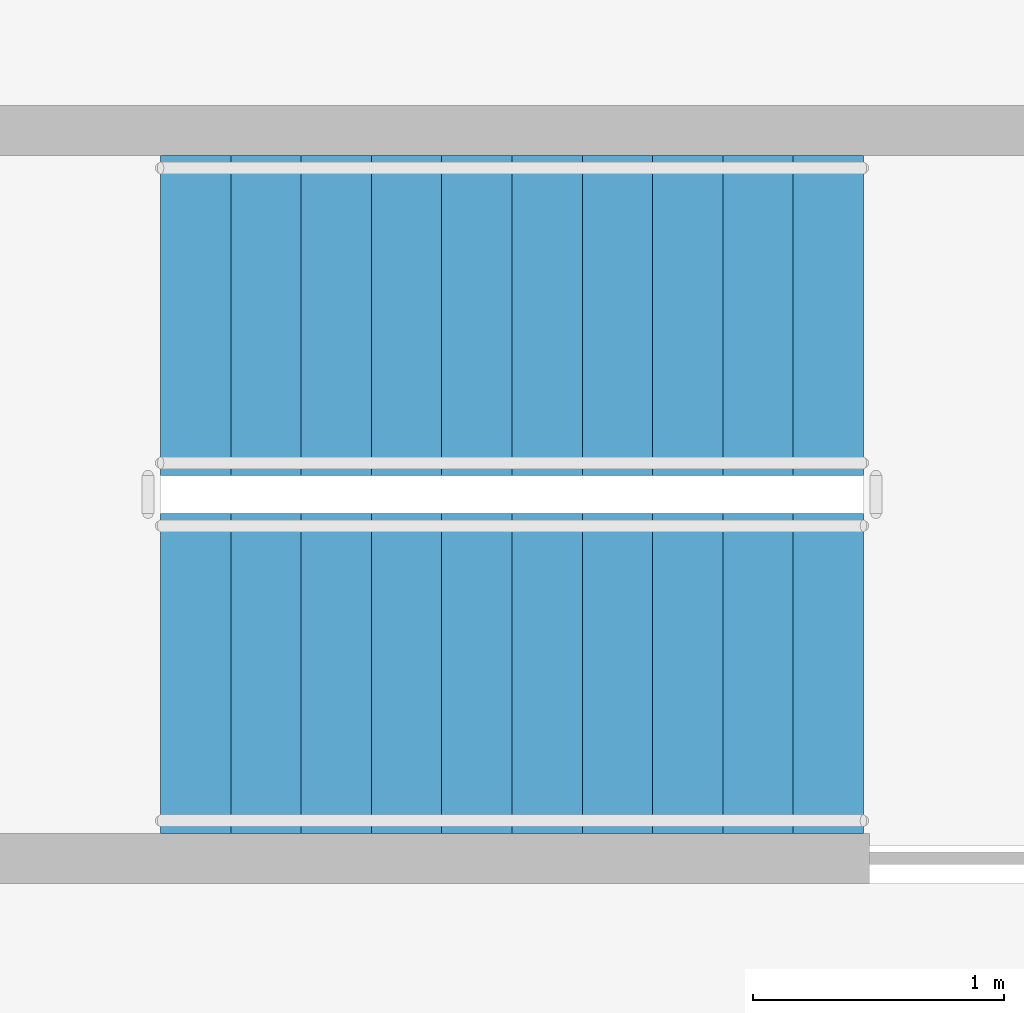
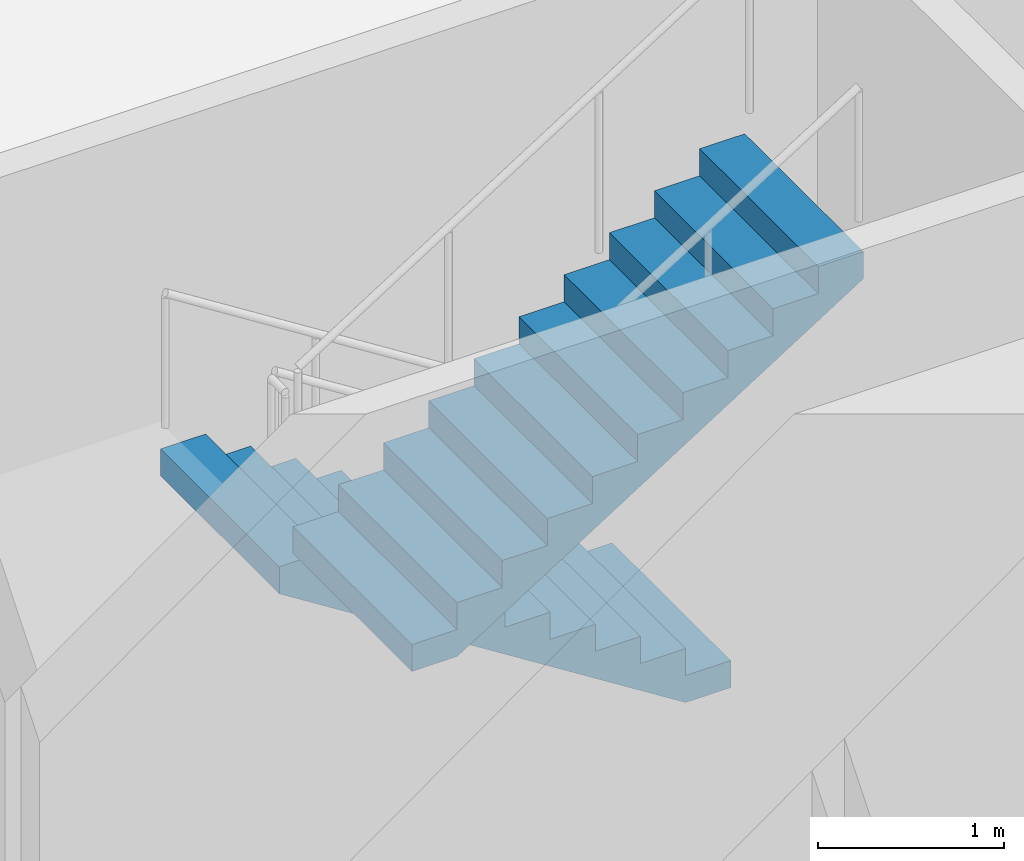
# One storey, part 17 of 22: 2 stair flights, 1 element without a shape of its own.
"""IFC4 building model written with IfcOpenShell, lengths in metres."""

from ifc_helpers import new_model, si_unit, direction, frame, origin, place, context, subcontext, project, spatial, polyline, outline, extrude, material, type_object, element, aggregate, save


model = new_model("IFC4")

# Units and contexts
model_context = context("Model", 3, precision=1e-05, world=origin(), true_north=direction((0.0, 1.0)))
body_context = subcontext(model_context, "Body", "Model", "MODEL_VIEW")
ifc_project = project(units=[si_unit("LENGTHUNIT", "METRE"), si_unit("AREAUNIT", "SQUARE_METRE"), si_unit("VOLUMEUNIT", "CUBIC_METRE"), si_unit("PLANEANGLEUNIT", "RADIAN"), si_unit("MASSUNIT", "GRAM", prefix="KILO")], contexts=[model_context])

# Site, building, storey
site_placement = place(None, origin())
site = spatial("IfcSite", under=ifc_project, at=site_placement, CompositionType="ELEMENT")
building_placement = place(site_placement, origin())
building = spatial("IfcBuilding", under=site, at=building_placement, Name="Tskaro Facet Tower", CompositionType="ELEMENT")
storey_placement = place(building_placement, frame((0.0, 0.0, 30.300048828125)))
storey = spatial("IfcBuildingStorey", under=building, at=storey_placement, Name="L06", CompositionType="ELEMENT", Elevation=30.300048828125)

# Stair, stair flights
ifc_material = material(Name="Concrete C40/50", Category="concrete")
stair_type = type_object("IfcStairType", Name="ST-TWR", PredefinedType="HALF_TURN_STAIR", material=ifc_material)
stair_placement = place(storey_placement, origin())
stair = element("IfcStair", 1, at=stair_placement, inside=storey, type_object=stair_type, Name="L06 Exit stair 3", PredefinedType="HALF_TURN_STAIR")
stair_flight_type = type_object("IfcStairFlightType", Name="SFL-RC", PredefinedType="STRAIGHT", material=ifc_material)
stair_flight_1_placement = place(storey_placement, frame((-2.02490234375, 7.5625, 0.0), z_axis=(0.0, 0.0, 1.0), x_axis=(-1.0, 0.0, 0.0)))
stair_flight_1 = element("IfcStairFlight", 2, at=stair_flight_1_placement, type_object=stair_flight_type, Name="ST-3 flight 1", NumberOfRisers=11, NumberOfTreads=10, PredefinedType="STRAIGHT", RiserHeight=0.177272727, TreadLength=0.28, context=body_context, shape_type="SweptSolid", body=[
    extrude(outline(polyline([(0.0, 0.0), (0.0, 0.17724609375), (0.280029296875, 0.17724609375), (0.280029296875, 0.3544921875), (0.56005859375, 0.3544921875), (0.56005859375, 0.53173828125), (0.840087890625, 0.53173828125), (0.840087890625, 0.708984375), (1.1201171875, 0.708984375), (1.1201171875, 0.886474609375), (1.39990234375, 0.886474609375), (1.39990234375, 1.063720703125), (1.679931640625, 1.063720703125), (1.679931640625, 1.240966796875), (1.9599609375, 1.240966796875), (1.9599609375, 1.418212890625), (2.239990234375, 1.418212890625), (2.239990234375, 1.595458984375), (2.52001953125, 1.595458984375), (2.52001953125, 1.772705078125), (2.800048828125, 1.772705078125), (2.800048828125, 1.949951171875), (2.800048828125, 1.59521484375), (0.2802734375, 0.0), (0.0, 0.0)])), frame((0.0, 0.637451171875, 0.0), z_axis=(0.0, -1.0, 0.0), x_axis=(1.0, 0.0, 0.0)), (0.0, 0.0, 1.0), 1.27490234375),
])
stair_flight_2_placement = place(storey_placement, frame((-4.824951171875, 6.137451171875, 1.949951171875), z_axis=(0.0, 0.0, 1.0), x_axis=(1.0, 0.0, 0.0)))
stair_flight_2 = element("IfcStairFlight", 3, at=stair_flight_2_placement, type_object=stair_flight_type, Name="ST-3 flight 2", NumberOfRisers=11, NumberOfTreads=10, PredefinedType="STRAIGHT", RiserHeight=0.177272727, TreadLength=0.28, context=body_context, shape_type="SweptSolid", body=[
    extrude(outline(polyline([(0.0, 0.0), (0.0, 0.17724609375), (0.280029296875, 0.17724609375), (0.280029296875, 0.3544921875), (0.56005859375, 0.3544921875), (0.56005859375, 0.53173828125), (0.840087890625, 0.53173828125), (0.840087890625, 0.708984375), (1.1201171875, 0.708984375), (1.1201171875, 0.886474609375), (1.39990234375, 0.886474609375), (1.39990234375, 1.063720703125), (1.679931640625, 1.063720703125), (1.679931640625, 1.240966796875), (1.9599609375, 1.240966796875), (1.9599609375, 1.418212890625), (2.239990234375, 1.418212890625), (2.239990234375, 1.595458984375), (2.52001953125, 1.595458984375), (2.52001953125, 1.772705078125), (2.800048828125, 1.772705078125), (2.800048828125, 1.949951171875), (2.800048828125, 1.59521484375), (0.2802734375, 0.0), (0.0, 0.0)])), frame((0.0, 0.637451171875, 0.0), z_axis=(0.0, -1.0, 0.0), x_axis=(1.0, 0.0, 0.0)), (0.0, 0.0, 1.0), 1.27490234375),
])
aggregate(stair, [stair_flight_1, stair_flight_2])

save(model, "model.ifc")
